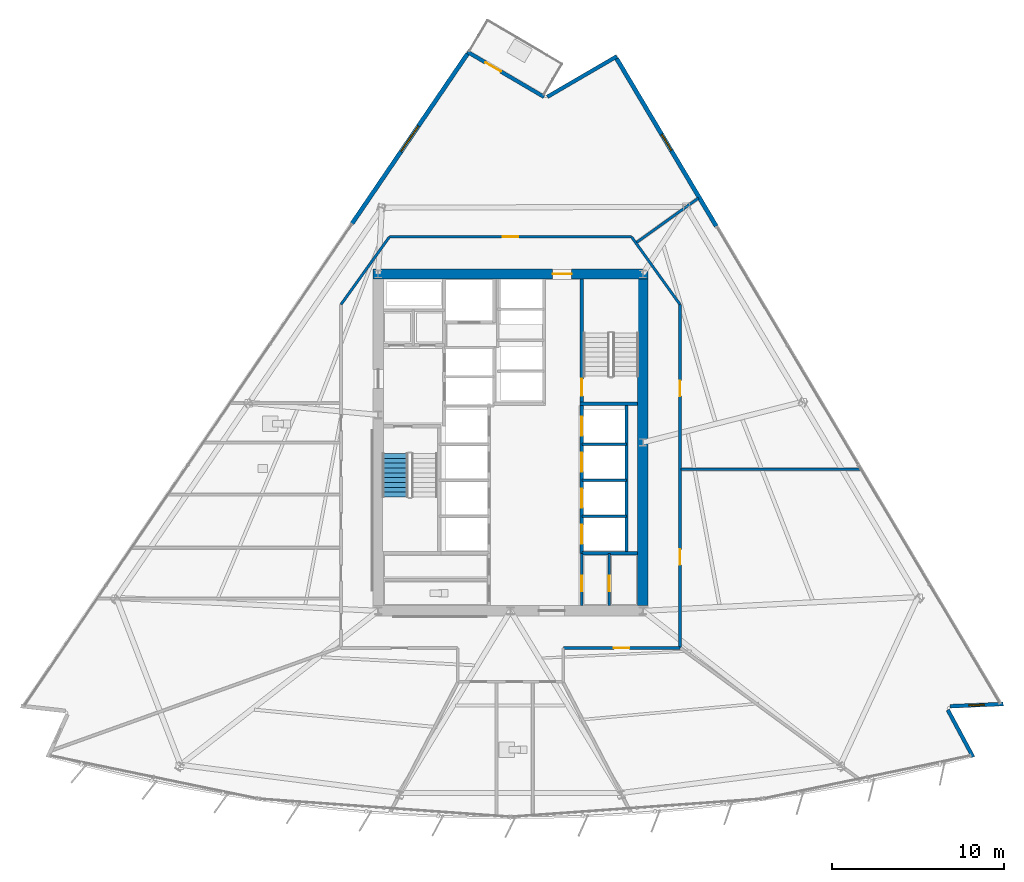
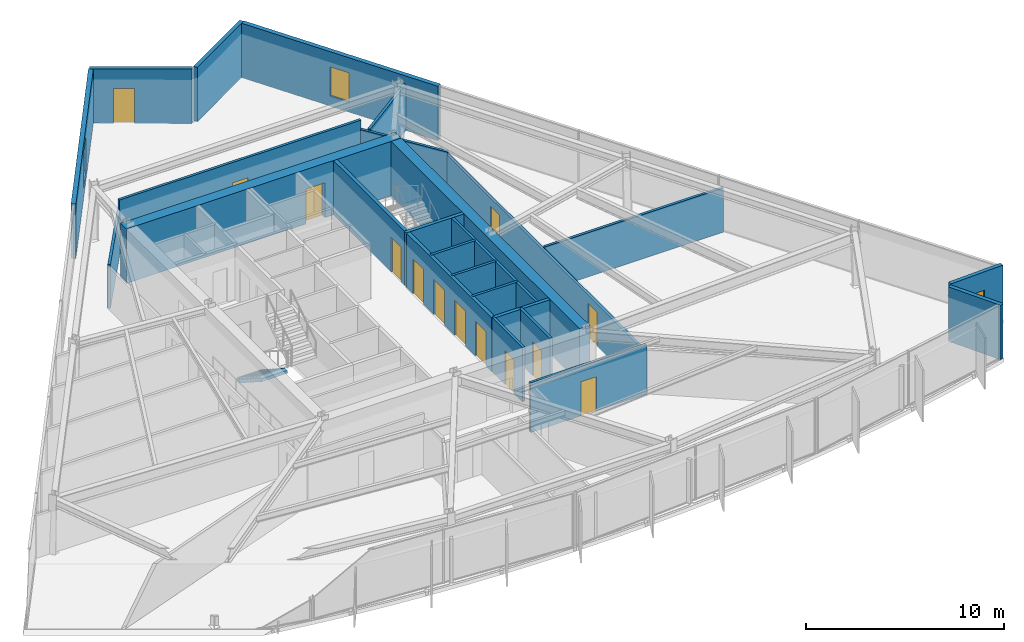
# One storey, part 9 of 15: 25 walls, 13 doors, 3 windows, 1 stair flight, 16 openings, 1 element without a shape of its own.
"""IFC4 building model written with IfcOpenShell, lengths in metres."""

from ifc_helpers import new_model, si_unit, direction, frame, frame_2d, origin, place, context, subcontext, project, spatial, polyline, rectangle, outline, extrude, material, layer, layer_set, type_object, element, fill, aggregate, save


model = new_model("IFC4")

# Units and contexts
model_context = context("Model", 3, precision=1e-05, world=origin(), true_north=direction((0.0, 1.0)))
body_context = subcontext(model_context, "Body", "Model", "MODEL_VIEW")
ifc_project = project(units=[si_unit("LENGTHUNIT", "METRE"), si_unit("AREAUNIT", "SQUARE_METRE"), si_unit("VOLUMEUNIT", "CUBIC_METRE"), si_unit("PLANEANGLEUNIT", "RADIAN"), si_unit("MASSUNIT", "GRAM", prefix="KILO")], contexts=[model_context])

# Site, building, storey
site_placement = place(None, origin())
site = spatial("IfcSite", under=ifc_project, at=site_placement, CompositionType="ELEMENT")
building_placement = place(site_placement, origin())
building = spatial("IfcBuilding", under=site, at=building_placement, Name="Savorim Split Tower", CompositionType="ELEMENT")
storey_placement = place(building_placement, frame((0.0, 0.0, 82.5)))
storey = spatial("IfcBuildingStorey", under=building, at=storey_placement, Name="L21", CompositionType="ELEMENT", Elevation=82.5)

# Wall, opening, door
ifc_material_1 = material(Name="Concrete C60/75", Category="concrete")
ifc_layer_1 = layer(ifc_material_1, 0.60009765625)
ifc_layer_set_1 = layer_set([ifc_layer_1], Name="WAL-COR-SH600")
wall_type_1 = type_object("IfcWallType", Name="WAL-COR-SH600", PredefinedType="SHEAR", material=ifc_layer_set_1)
wall_1_placement = place(storey_placement, frame((8.0, 10.199951171875, 0.0), z_axis=(0.0, 0.0, 1.0), x_axis=(-1.0, 0.0, 0.0)))
wall_1 = element("IfcWall", 1, at=wall_1_placement, inside=storey, type_object=wall_type_1, Name="L21 Offset Core North Shear Wall", PredefinedType="SHEAR", context=body_context, shape_type="SweptSolid", body=[
    extrude(rectangle(XDim=16.0, YDim=0.60009765625, at=frame_2d((8.0, 0.0))), origin(), (0.0, 0.0, 1.0), 3.35009765625),
])
opening_1_placement = place(wall_1_placement, frame((4.449951171875, 0.0, 0.0)))
opening_1 = element("IfcOpeningElement", 2, at=opening_1_placement, cuts=wall_1, Name="Opening DI-03", PredefinedType="OPENING", context=body_context, shape_type="SweptSolid", body=[
    extrude(rectangle(XDim=1.10009765625, YDim=2.14990234375, at=frame_2d((0.550048828125, 1.074951171875))), frame((0.0, 0.31005859375, 0.0), z_axis=(0.0, -1.0, 0.0), x_axis=(1.0, 0.0, 0.0)), (0.0, 0.0, 1.0), 0.6201171875),
])
ifc_material_2 = material(Name="Timber Fire Door Leaf", Category="wood")
door_type_1 = type_object("IfcDoorType", Name="DOR-FIR-1100", OperationType="NOTDEFINED", PredefinedType="DOOR", material=ifc_material_2)
door_1_placement = place(opening_1_placement, origin())
door_1 = element("IfcDoor", 3, at=door_1_placement, inside=storey, type_object=door_type_1, Name="DOR-L21-COR-NLOB - L21 North Corridor Lobby Fire Door", OperationType="SINGLE_SWING_RIGHT", OverallHeight=2.14990234375, OverallWidth=1.10009765625, PredefinedType="DOOR", context=body_context, shape_type="SweptSolid", body=[
    extrude(rectangle(XDim=1.10009765625, YDim=2.14990234375, at=frame_2d((0.550048828125, 1.074951171875))), frame((0.0, 0.02490234375, 0.0), z_axis=(0.0, -1.0, 0.0), x_axis=(1.0, 0.0, 0.0)), (0.0, 0.0, 1.0), 0.050048828125),
])
fill(opening_1, door_1)

# Walls
wall_2_placement = place(storey_placement, frame((7.699951171875, 9.89990234375, 0.0), z_axis=(0.0, 0.0, 1.0), x_axis=(0.0, -1.0, 0.0)))
element("IfcWall", 4, at=wall_2_placement, inside=storey, type_object=wall_type_1, Name="L21 Offset Core East Shear Wall", PredefinedType="SHEAR", context=body_context, shape_type="SweptSolid", body=[
    extrude(rectangle(XDim=19.0, YDim=0.60009765625, at=frame_2d((9.5, 0.0))), origin(), (0.0, 0.0, 1.0), 3.35009765625),
])
ifc_material_3 = material(Name="Precast concrete C40/50", Category="concrete")
ifc_layer_2 = layer(ifc_material_3, 0.219970703125)
ifc_layer_set_2 = layer_set([ifc_layer_2], Name="WAL-EXT-CRN220")
wall_type_2 = type_object("IfcWallType", Name="WAL-EXT-CRN220", PredefinedType="SOLIDWALL", material=ifc_layer_set_2)
wall_3_placement = place(storey_placement, frame((25.44189453125, -15.164794921875, 0.0), z_axis=(0.0, 0.0, 1.0), x_axis=(0.472811757317, -0.881163459378, 0.0)))
element("IfcWall", 5, at=wall_3_placement, inside=storey, type_object=wall_type_2, Name="L21 Notched Corner Facade Wall SE1", PredefinedType="SOLIDWALL", context=body_context, shape_type="SweptSolid", body=[
    extrude(rectangle(XDim=3.109619140625, YDim=0.219970703125, at=frame_2d((1.5546875, 0.0))), origin(), (0.0, 0.0, 1.0), 3.35009765625),
])

# Wall, opening, window
wall_4_placement = place(storey_placement, frame((28.667236328125, -14.819091796875, 0.0), z_axis=(0.0, 0.0, 1.0), x_axis=(-0.99909228571, -0.042598176436, 0.0)))
wall_4 = element("IfcWall", 6, at=wall_4_placement, inside=storey, type_object=wall_type_2, Name="L21 Notched Corner Facade Wall SE", PredefinedType="SOLIDWALL", context=body_context, shape_type="SweptSolid", body=[
    extrude(rectangle(XDim=3.1064453125, YDim=0.219970703125, at=frame_2d((1.55322265625, 0.0))), origin(), (0.0, 0.0, 1.0), 3.35009765625),
])
opening_2_placement = place(wall_4_placement, frame((1.103271484375, 0.0, 0.6201171875)))
opening_2 = element("IfcOpeningElement", 7, at=opening_2_placement, cuts=wall_4, Name="Opening WN-10", PredefinedType="OPENING", context=body_context, shape_type="SweptSolid", body=[
    extrude(rectangle(XDim=0.89990234375, YDim=1.60009765625, at=frame_2d((0.449951171875, 0.800048828125))), frame((0.0, 0.119873046875, 0.0), z_axis=(0.0, -1.0, 0.0), x_axis=(1.0, 0.0, 0.0)), (0.0, 0.0, 1.0), 0.239990234375),
])
ifc_material_4 = material(Name="Low-E Operable Double Glazing", Category="glass")
window_type_1 = type_object("IfcWindowType", Name="WIN-TWR-900x1600", PartitioningType="SINGLE_PANEL", PredefinedType="WINDOW", material=ifc_material_4)
window_1_placement = place(opening_2_placement, origin())
window_1 = element("IfcWindow", 8, at=window_1_placement, inside=storey, type_object=window_type_1, Name="L21 Operable Corner Window SE", OverallHeight=1.60009765625, OverallWidth=0.89990234375, PartitioningType="SINGLE_PANEL", PredefinedType="WINDOW", context=body_context, shape_type="SweptSolid", body=[
    extrude(rectangle(XDim=0.89990234375, YDim=1.60009765625, at=frame_2d((0.449951171875, 0.800048828125))), frame((0.0, 0.030029296875, 0.0), z_axis=(0.0, -1.0, 0.0), x_axis=(1.0, 0.0, 0.0)), (0.0, 0.0, 1.0), 0.06005859375),
])
fill(opening_2, window_1)

# Wall
wall_5_placement = place(storey_placement, frame((2.141845703125, 20.502197265625, 0.0), z_axis=(0.0, 0.0, 1.0), x_axis=(0.863981097269, 0.503524243272, 0.0)))
element("IfcWall", 9, at=wall_5_placement, inside=storey, type_object=wall_type_2, Name="L21 Notched Corner Facade Wall NE1", PredefinedType="SOLIDWALL", context=body_context, shape_type="SweptSolid", body=[
    extrude(rectangle(XDim=4.684326171875, YDim=0.219970703125, at=frame_2d((2.34228515625, 0.0))), origin(), (0.0, 0.0, 1.0), 3.35009765625),
])

# Wall, opening, door
wall_6_placement = place(storey_placement, frame((-2.509521484375, 23.12451171875, 0.0), z_axis=(0.0, 0.0, 1.0), x_axis=(0.862103972413, -0.506731428618, 0.0)))
wall_6 = element("IfcWall", 10, at=wall_6_placement, inside=storey, type_object=wall_type_2, Name="L21 Notched Corner Facade Wall N", PredefinedType="SOLIDWALL", context=body_context, shape_type="SweptSolid", body=[
    extrude(rectangle(XDim=5.174560546875, YDim=0.219970703125, at=frame_2d((2.58740234375, 0.0))), origin(), (0.0, 0.0, 1.0), 3.35009765625),
])
opening_3_placement = place(wall_6_placement, frame((1.21240234375, 0.0, 0.0)))
opening_3 = element("IfcOpeningElement", 11, at=opening_3_placement, cuts=wall_6, Name="Opening DB-01", PredefinedType="OPENING", context=body_context, shape_type="SweptSolid", body=[
    extrude(rectangle(XDim=1.050048828125, YDim=2.14990234375, at=frame_2d((0.52490234375, 1.074951171875))), frame((0.0, 0.119873046875, 0.0), z_axis=(0.0, -1.0, 0.0), x_axis=(1.0, 0.0, 0.0)), (0.0, 0.0, 1.0), 0.239990234375),
])
ifc_material_5 = material(Name="Charcoal Anodised Aluminium", Category="aluminium")
door_type_2 = type_object("IfcDoorType", Name="DOR-BAL-1050", OperationType="NOTDEFINED", PredefinedType="DOOR", material=ifc_material_5)
door_2_placement = place(opening_3_placement, origin())
door_2 = element("IfcDoor", 12, at=door_2_placement, inside=storey, type_object=door_type_2, Name="DOR-L21-TBAL-N - L21 Planted Tree Balcony Door N", OperationType="SINGLE_SWING_RIGHT", OverallHeight=2.14990234375, OverallWidth=1.050048828125, PredefinedType="DOOR", context=body_context, shape_type="SweptSolid", body=[
    extrude(rectangle(XDim=1.050048828125, YDim=2.14990234375, at=frame_2d((0.52490234375, 1.074951171875))), frame((0.0, 0.02490234375, 0.0), z_axis=(0.0, -1.0, 0.0), x_axis=(1.0, 0.0, 0.0)), (0.0, 0.0, 1.0), 0.050048828125),
])
fill(opening_3, door_2)

# Wall, opening, window
ifc_layer_3 = layer(ifc_material_3, 0.25)
ifc_layer_set_3 = layer_set([ifc_layer_3], Name="WAL-EXT-SPN250")
wall_type_3 = type_object("IfcWallType", Name="WAL-EXT-SPN250", PredefinedType="SOLIDWALL", material=ifc_layer_set_3)
wall_7_placement = place(storey_placement, frame((6.17236328125, 22.734130859375, 0.0), z_axis=(0.0, 0.0, 1.0), x_axis=(0.511105869751, -0.859517765905, 0.0)))
wall_7 = element("IfcWall", 13, at=wall_7_placement, inside=storey, type_object=wall_type_3, Name="L21 East Operable Window Pier", PredefinedType="SOLIDWALL", context=body_context, shape_type="SweptSolid", body=[
    extrude(rectangle(XDim=11.356689453125, YDim=0.25, at=frame_2d((5.67822265625, 0.0))), origin(), (0.0, 0.0, 1.0), 3.35009765625),
])
opening_4_placement = place(wall_7_placement, frame((5.12841796875, 0.0, 0.6201171875)))
opening_4 = element("IfcOpeningElement", 14, at=opening_4_placement, cuts=wall_7, Name="Opening WN-09", PredefinedType="OPENING", context=body_context, shape_type="SweptSolid", body=[
    extrude(rectangle(XDim=1.10009765625, YDim=1.800048828125, at=frame_2d((0.550048828125, 0.89990234375))), frame((0.0, 0.135009765625, 0.0), z_axis=(0.0, -1.0, 0.0), x_axis=(1.0, 0.0, 0.0)), (0.0, 0.0, 1.0), 0.27001953125),
])
window_type_2 = type_object("IfcWindowType", Name="WIN-TWR-1100x1800", PartitioningType="SINGLE_PANEL", PredefinedType="WINDOW", material=ifc_material_4)
window_2_placement = place(opening_4_placement, origin())
window_2 = element("IfcWindow", 15, at=window_2_placement, inside=storey, type_object=window_type_2, Name="L21 East Operable Ventilation Window", OverallHeight=1.800048828125, OverallWidth=1.10009765625, PartitioningType="SINGLE_PANEL", PredefinedType="WINDOW", context=body_context, shape_type="SweptSolid", body=[
    extrude(rectangle(XDim=1.10009765625, YDim=1.800048828125, at=frame_2d((0.550048828125, 0.89990234375))), frame((0.0, 0.030029296875, 0.0), z_axis=(0.0, -1.0, 0.0), x_axis=(1.0, 0.0, 0.0)), (0.0, 0.0, 1.0), 0.06005859375),
])
fill(opening_4, window_2)

wall_8_placement = place(storey_placement, frame((-9.21728515625, 13.135986328125, 0.0), z_axis=(0.0, 0.0, 1.0), x_axis=(0.562468998305, 0.826818375428, 0.0)))
wall_8 = element("IfcWall", 16, at=wall_8_placement, inside=storey, type_object=wall_type_3, Name="L21 West Operable Window Pier", PredefinedType="SOLIDWALL", context=body_context, shape_type="SweptSolid", body=[
    extrude(rectangle(XDim=11.9287109375, YDim=0.25, at=frame_2d((5.96435546875, 0.0))), origin(), (0.0, 0.0, 1.0), 3.35009765625),
])
opening_5_placement = place(wall_8_placement, frame((5.064208984375, 0.0, 0.6201171875)))
opening_5 = element("IfcOpeningElement", 17, at=opening_5_placement, cuts=wall_8, Name="Opening WN-04", PredefinedType="OPENING", context=body_context, shape_type="SweptSolid", body=[
    extrude(rectangle(XDim=1.800048828125, YDim=2.10009765625, at=frame_2d((0.89990234375, 1.050048828125))), frame((0.0, 0.135009765625, 0.0), z_axis=(0.0, -1.0, 0.0), x_axis=(1.0, 0.0, 0.0)), (0.0, 0.0, 1.0), 0.27001953125),
])
window_type_3 = type_object("IfcWindowType", Name="WIN-TWR-1800x2100", PartitioningType="DOUBLE_PANEL_VERTICAL", PredefinedType="WINDOW", material=ifc_material_4)
window_3_placement = place(opening_5_placement, origin())
window_3 = element("IfcWindow", 18, at=window_3_placement, inside=storey, type_object=window_type_3, Name="L21 West Operable Ventilation Window", OverallHeight=2.10009765625, OverallWidth=1.800048828125, PartitioningType="SINGLE_PANEL", PredefinedType="WINDOW", context=body_context, shape_type="SweptSolid", body=[
    extrude(rectangle(XDim=1.800048828125, YDim=2.10009765625, at=frame_2d((0.89990234375, 1.050048828125))), frame((0.0, 0.030029296875, 0.0), z_axis=(0.0, -1.0, 0.0), x_axis=(1.0, 0.0, 0.0)), (0.0, 0.0, 1.0), 0.06005859375),
])
fill(opening_5, window_3)

# Wall, opening, door
ifc_material_6 = material(Name="Concrete C50/60", Category="concrete")
ifc_layer_4 = layer(ifc_material_6, 0.199951171875)
ifc_layer_set_4 = layer_set([ifc_layer_4], Name="WAL-INT-RC200")
wall_type_4 = type_object("IfcWallType", Name="WAL-INT-RC200", PredefinedType="SOLIDWALL", material=ifc_layer_set_4)
wall_9_placement = place(storey_placement, frame((4.14990234375, 2.75, 0.0), z_axis=(0.0, 0.0, 1.0), x_axis=(0.0, 1.0, 0.0)))
wall_9 = element("IfcWall", 19, at=wall_9_placement, inside=storey, type_object=wall_type_4, Name="L21 Structural Shaft Wall W-L21-CR07", PredefinedType="SOLIDWALL", context=body_context, shape_type="SweptSolid", body=[
    extrude(rectangle(XDim=7.14990234375, YDim=0.199951171875, at=frame_2d((3.574951171875, 0.0))), origin(), (0.0, 0.0, 1.0), 3.35009765625),
])
opening_6_placement = place(wall_9_placement, frame((0.35009765625, 0.0, 0.0)))
opening_6 = element("IfcOpeningElement", 20, at=opening_6_placement, cuts=wall_9, Name="Opening DI-04", PredefinedType="OPENING", context=body_context, shape_type="SweptSolid", body=[
    extrude(rectangle(XDim=1.0, YDim=2.14990234375, at=frame_2d((0.5, 1.074951171875))), frame((0.0, 0.10986328125, 0.0), z_axis=(0.0, -1.0, 0.0), x_axis=(1.0, 0.0, 0.0)), (0.0, 0.0, 1.0), 0.219970703125),
])
door_type_3 = type_object("IfcDoorType", Name="DOR-FIR-1000", OperationType="NOTDEFINED", PredefinedType="DOOR", material=ifc_material_2)
door_3_placement = place(opening_6_placement, origin())
door_3 = element("IfcDoor", 21, at=door_3_placement, inside=storey, type_object=door_type_3, Name="DR-L21-ST2 - L21 Stair ST-2 Enclosure Door", OperationType="SINGLE_SWING_RIGHT", OverallHeight=2.14990234375, OverallWidth=1.0, PredefinedType="DOOR", context=body_context, shape_type="SweptSolid", body=[
    extrude(rectangle(XDim=1.0, YDim=2.14990234375, at=frame_2d((0.5, 1.074951171875))), frame((0.0, 0.02490234375, 0.0), z_axis=(0.0, -1.0, 0.0), x_axis=(1.0, 0.0, 0.0)), (0.0, 0.0, 1.0), 0.050048828125),
])
fill(opening_6, door_3)

# Wall
wall_10_placement = place(storey_placement, frame((4.050048828125, 2.64990234375, 0.0), z_axis=(0.0, 0.0, 1.0), x_axis=(1.0, 0.0, 0.0)))
element("IfcWall", 22, at=wall_10_placement, inside=storey, type_object=wall_type_4, Name="L21 Structural Shaft Wall W-L21-CR08", PredefinedType="SOLIDWALL", context=body_context, shape_type="SweptSolid", body=[
    extrude(rectangle(XDim=3.349853515625, YDim=0.199951171875, at=frame_2d((1.6748046875, 0.0))), origin(), (0.0, 0.0, 1.0), 3.35009765625),
])

# Wall, openings, doors
wall_11_placement = place(storey_placement, frame((4.14990234375, -6.050048828125, 0.0), z_axis=(0.0, 0.0, 1.0), x_axis=(0.0, 1.0, 0.0)))
wall_11 = element("IfcWall", 23, at=wall_11_placement, inside=storey, type_object=wall_type_4, Name="L21 Partition W-L21-B1FRONT", PredefinedType="SOLIDWALL", context=body_context, shape_type="SweptSolid", body=[
    extrude(rectangle(XDim=8.699951171875, YDim=0.199951171875, at=frame_2d((4.35009765625, 0.0))), origin(), (0.0, 0.0, 1.0), 3.35009765625),
])
opening_7_placement = place(wall_11_placement, frame((0.550048828125, 0.0, 0.0)))
opening_7 = element("IfcOpeningElement", 24, at=opening_7_placement, cuts=wall_11, Name="Opening LD-01", PredefinedType="OPENING", context=body_context, shape_type="SweptSolid", body=[
    extrude(rectangle(XDim=1.10009765625, YDim=2.14990234375, at=frame_2d((0.550048828125, 1.074951171875))), frame((0.0, 0.10986328125, 0.0), z_axis=(0.0, -1.0, 0.0), x_axis=(1.0, 0.0, 0.0)), (0.0, 0.0, 1.0), 0.219970703125),
])
opening_8_placement = place(wall_11_placement, frame((2.64990234375, 0.0, 0.0)))
opening_8 = element("IfcOpeningElement", 25, at=opening_8_placement, cuts=wall_11, Name="Opening LD-01", PredefinedType="OPENING", context=body_context, shape_type="SweptSolid", body=[
    extrude(rectangle(XDim=1.10009765625, YDim=2.14990234375, at=frame_2d((0.550048828125, 1.074951171875))), frame((0.0, 0.10986328125, 0.0), z_axis=(0.0, -1.0, 0.0), x_axis=(1.0, 0.0, 0.0)), (0.0, 0.0, 1.0), 0.219970703125),
])
opening_9_placement = place(wall_11_placement, frame((4.75, 0.0, 0.0)))
opening_9 = element("IfcOpeningElement", 26, at=opening_9_placement, cuts=wall_11, Name="Opening LD-01", PredefinedType="OPENING", context=body_context, shape_type="SweptSolid", body=[
    extrude(rectangle(XDim=1.10009765625, YDim=2.14990234375, at=frame_2d((0.550048828125, 1.074951171875))), frame((0.0, 0.10986328125, 0.0), z_axis=(0.0, -1.0, 0.0), x_axis=(1.0, 0.0, 0.0)), (0.0, 0.0, 1.0), 0.219970703125),
])
opening_10_placement = place(wall_11_placement, frame((6.85009765625, 0.0, 0.0)))
opening_10 = element("IfcOpeningElement", 27, at=opening_10_placement, cuts=wall_11, Name="Opening LD-01", PredefinedType="OPENING", context=body_context, shape_type="SweptSolid", body=[
    extrude(rectangle(XDim=1.10009765625, YDim=2.14990234375, at=frame_2d((0.550048828125, 1.074951171875))), frame((0.0, 0.10986328125, 0.0), z_axis=(0.0, -1.0, 0.0), x_axis=(1.0, 0.0, 0.0)), (0.0, 0.0, 1.0), 0.219970703125),
])
door_type_4 = type_object("IfcDoorType", Name="DOR-SLD-LD1100", OperationType="NOTDEFINED", PredefinedType="DOOR", material=ifc_material_5)
door_4_placement = place(opening_7_placement, origin())
door_4 = element("IfcDoor", 28, at=door_4_placement, inside=storey, type_object=door_type_4, Name="DR-L21-LD-PLL1 - L21 Lift PL-L1 Sliding Landing Door", OperationType="DOUBLE_DOOR_SLIDING", OverallHeight=2.14990234375, OverallWidth=1.10009765625, PredefinedType="DOOR", context=body_context, shape_type="SweptSolid", body=[
    extrude(rectangle(XDim=1.10009765625, YDim=2.14990234375, at=frame_2d((0.550048828125, 1.074951171875))), frame((0.0, 0.02490234375, 0.0), z_axis=(0.0, -1.0, 0.0), x_axis=(1.0, 0.0, 0.0)), (0.0, 0.0, 1.0), 0.050048828125),
])
fill(opening_7, door_4)
door_5_placement = place(opening_8_placement, origin())
door_5 = element("IfcDoor", 29, at=door_5_placement, inside=storey, type_object=door_type_4, Name="DR-L21-LD-PLL2 - L21 Lift PL-L2 Sliding Landing Door", OperationType="DOUBLE_DOOR_SLIDING", OverallHeight=2.14990234375, OverallWidth=1.10009765625, PredefinedType="DOOR", context=body_context, shape_type="SweptSolid", body=[
    extrude(rectangle(XDim=1.10009765625, YDim=2.14990234375, at=frame_2d((0.550048828125, 1.074951171875))), frame((0.0, 0.02490234375, 0.0), z_axis=(0.0, -1.0, 0.0), x_axis=(1.0, 0.0, 0.0)), (0.0, 0.0, 1.0), 0.050048828125),
])
fill(opening_8, door_5)
door_6_placement = place(opening_9_placement, origin())
door_6 = element("IfcDoor", 30, at=door_6_placement, inside=storey, type_object=door_type_4, Name="DR-L21-LD-PLL3 - L21 Lift PL-L3 Sliding Landing Door", OperationType="DOUBLE_DOOR_SLIDING", OverallHeight=2.14990234375, OverallWidth=1.10009765625, PredefinedType="DOOR", context=body_context, shape_type="SweptSolid", body=[
    extrude(rectangle(XDim=1.10009765625, YDim=2.14990234375, at=frame_2d((0.550048828125, 1.074951171875))), frame((0.0, 0.02490234375, 0.0), z_axis=(0.0, -1.0, 0.0), x_axis=(1.0, 0.0, 0.0)), (0.0, 0.0, 1.0), 0.050048828125),
])
fill(opening_9, door_6)
door_7_placement = place(opening_10_placement, origin())
door_7 = element("IfcDoor", 31, at=door_7_placement, inside=storey, type_object=door_type_4, Name="DR-L21-LD-PLL4 - L21 Lift PL-L4 Sliding Landing Door", OperationType="DOUBLE_DOOR_SLIDING", OverallHeight=2.14990234375, OverallWidth=1.10009765625, PredefinedType="DOOR", context=body_context, shape_type="SweptSolid", body=[
    extrude(rectangle(XDim=1.10009765625, YDim=2.14990234375, at=frame_2d((0.550048828125, 1.074951171875))), frame((0.0, 0.02490234375, 0.0), z_axis=(0.0, -1.0, 0.0), x_axis=(1.0, 0.0, 0.0)), (0.0, 0.0, 1.0), 0.050048828125),
])
fill(opening_10, door_7)

# Walls
wall_12_placement = place(storey_placement, frame((4.14990234375, -6.050048828125, 0.0), z_axis=(0.0, 0.0, 1.0), x_axis=(1.0, 0.0, 0.0)))
element("IfcWall", 32, at=wall_12_placement, inside=storey, type_object=wall_type_4, Name="L21 Partition W-L21-KSEP-E", PredefinedType="SOLIDWALL", context=body_context, shape_type="SweptSolid", body=[
    extrude(rectangle(XDim=3.2451171875, YDim=0.199951171875, at=frame_2d((1.62255859375, 0.0))), origin(), (0.0, 0.0, 1.0), 3.35009765625),
])
ifc_material_7 = material(Name="Acoustic Gypsum Partition Board")
ifc_layer_5 = layer(ifc_material_7, 0.14990234375)
ifc_layer_set_5 = layer_set([ifc_layer_5], Name="WAL-PAR-150")
wall_type_5 = type_object("IfcWallType", Name="WAL-PAR-150", PredefinedType="PARTITIONING", material=ifc_layer_set_5)
wall_13_placement = place(storey_placement, frame((6.75, -6.050048828125, 0.0), z_axis=(0.0, 0.0, 1.0), x_axis=(0.0, 1.0, 0.0)))
element("IfcWall", 33, at=wall_13_placement, inside=storey, type_object=wall_type_5, Name="L21 Partition W-L21-B1BACK", PredefinedType="PARTITIONING", context=body_context, shape_type="SweptSolid", body=[
    extrude(rectangle(XDim=8.699951171875, YDim=0.14990234375, at=frame_2d((4.35009765625, 0.0))), origin(), (0.0, 0.0, 1.0), 3.35009765625),
])
for number, where, z_axis, x_axis, name in (
    (34, (4.14990234375, -3.89990234375, 0.0), (0.0, 0.0, 1.0), (1.0, 0.0, 0.0), "L21 Partition W-L21-B1DIV1"),
    (35, (4.14990234375, -1.800048828125, 0.0), (0.0, 0.0, 1.0), (1.0, 0.0, 0.0), "L21 Partition W-L21-B1DIV2"),
    (36, (4.14990234375, 0.300048828125, 0.0), (0.0, 0.0, 1.0), (1.0, 0.0, 0.0), "L21 Partition W-L21-B1DIV3"),
):
    element("IfcWall", number, at=place(storey_placement, frame(where, z_axis=z_axis, x_axis=x_axis)), inside=storey, type_object=wall_type_5, Name=name, PredefinedType="PARTITIONING", context=body_context, shape_type="SweptSolid", body=[
        extrude(rectangle(XDim=2.60009765625, YDim=0.14990234375, at=frame_2d((1.300048828125, 0.0))), origin(), (0.0, 0.0, 1.0), 3.35009765625),
    ])

# Wall, opening, door
wall_14_placement = place(storey_placement, frame((4.14990234375, -9.094970703125, 0.0), z_axis=(0.0, 0.0, 1.0), x_axis=(0.0, 1.0, 0.0)))
wall_14 = element("IfcWall", 37, at=wall_14_placement, inside=storey, type_object=wall_type_5, Name="L21 Partition W-L21-KLOB-E", PredefinedType="PARTITIONING", context=body_context, shape_type="SweptSolid", body=[
    extrude(rectangle(XDim=3.044921875, YDim=0.14990234375, at=frame_2d((1.5224609375, 0.0))), origin(), (0.0, 0.0, 1.0), 3.35009765625),
])
opening_11_placement = place(wall_14_placement, frame((0.844970703125, 0.0, 0.0)))
opening_11 = element("IfcOpeningElement", 38, at=opening_11_placement, cuts=wall_14, Name="Opening DI-06", PredefinedType="OPENING", context=body_context, shape_type="SweptSolid", body=[
    extrude(rectangle(XDim=0.89990234375, YDim=2.10009765625, at=frame_2d((0.449951171875, 1.050048828125))), frame((0.0, 0.0849609375, 0.0), z_axis=(0.0, -1.0, 0.0), x_axis=(1.0, 0.0, 0.0)), (0.0, 0.0, 1.0), 0.169921875),
])
door_type_5 = type_object("IfcDoorType", Name="DOR-FIR-900", OperationType="NOTDEFINED", PredefinedType="DOOR", material=ifc_material_2)
door_8_placement = place(opening_11_placement, origin())
door_8 = element("IfcDoor", 39, at=door_8_placement, inside=storey, type_object=door_type_5, Name="DR-L21-K2PAN - L21 Vending Pantry Door", OperationType="SINGLE_SWING_LEFT", OverallHeight=2.10009765625, OverallWidth=0.89990234375, PredefinedType="DOOR", context=body_context, shape_type="SweptSolid", body=[
    extrude(rectangle(XDim=0.89990234375, YDim=2.10009765625, at=frame_2d((0.449951171875, 1.050048828125))), frame((0.0, 0.02490234375, 0.0), z_axis=(0.0, -1.0, 0.0), x_axis=(1.0, 0.0, 0.0)), (0.0, 0.0, 1.0), 0.050048828125),
])
fill(opening_11, door_8)

wall_15_placement = place(storey_placement, frame((5.75, -9.094970703125, 0.0), z_axis=(0.0, 0.0, 1.0), x_axis=(0.0, 1.0, 0.0)))
wall_15 = element("IfcWall", 40, at=wall_15_placement, inside=storey, type_object=wall_type_5, Name="L21 Partition W-L21-K2E", PredefinedType="PARTITIONING", context=body_context, shape_type="SweptSolid", body=[
    extrude(rectangle(XDim=3.044921875, YDim=0.14990234375, at=frame_2d((1.5224609375, 0.0))), origin(), (0.0, 0.0, 1.0), 3.35009765625),
])
opening_12_placement = place(wall_15_placement, frame((0.844970703125, 0.0, 0.0)))
opening_12 = element("IfcOpeningElement", 41, at=opening_12_placement, cuts=wall_15, Name="Opening DI-06", PredefinedType="OPENING", context=body_context, shape_type="SweptSolid", body=[
    extrude(rectangle(XDim=0.89990234375, YDim=2.10009765625, at=frame_2d((0.449951171875, 1.050048828125))), frame((0.0, 0.0849609375, 0.0), z_axis=(0.0, -1.0, 0.0), x_axis=(1.0, 0.0, 0.0)), (0.0, 0.0, 1.0), 0.169921875),
])
door_9_placement = place(opening_12_placement, origin())
door_9 = element("IfcDoor", 42, at=door_9_placement, inside=storey, type_object=door_type_5, Name="DR-L21-K2REF - L21 Recycling Room Door", OperationType="SINGLE_SWING_RIGHT", OverallHeight=2.10009765625, OverallWidth=0.89990234375, PredefinedType="DOOR", context=body_context, shape_type="SweptSolid", body=[
    extrude(rectangle(XDim=0.89990234375, YDim=2.10009765625, at=frame_2d((0.449951171875, 1.050048828125))), frame((0.0, 0.02490234375, 0.0), z_axis=(0.0, -1.0, 0.0), x_axis=(1.0, 0.0, 0.0)), (0.0, 0.0, 1.0), 0.050048828125),
])
fill(opening_12, door_9)

# Wall
wall_16_placement = place(storey_placement, frame((-9.860107421875, 8.42578125, 0.0), z_axis=(0.0, 0.0, 1.0), x_axis=(0.582449511476, 0.812866881218, 0.0)))
element("IfcWall", 43, at=wall_16_placement, inside=storey, type_object=wall_type_5, Name="L21 Partition W-L21-COR-02", PredefinedType="PARTITIONING", context=body_context, shape_type="SweptSolid", body=[
    extrude(rectangle(XDim=4.840087890625, YDim=0.14990234375, at=frame_2d((2.419921875, 0.0))), origin(), (0.0, 0.0, 1.0), 2.72509765625),
])

# Wall, opening, door
wall_17_placement = place(storey_placement, frame((-7.041015625, 12.360107421875, 0.0), z_axis=(0.0, 0.0, 1.0), x_axis=(1.0, 0.0, 0.0)))
wall_17 = element("IfcWall", 44, at=wall_17_placement, inside=storey, type_object=wall_type_5, Name="L21 Partition W-L21-COR-03", PredefinedType="PARTITIONING", context=body_context, shape_type="SweptSolid", body=[
    extrude(rectangle(XDim=14.08203125, YDim=0.14990234375, at=frame_2d((7.041015625, 0.0))), origin(), (0.0, 0.0, 1.0), 3.35009765625),
])
opening_13_placement = place(wall_17_placement, frame((6.591064453125, 0.0, 0.0)))
opening_13 = element("IfcOpeningElement", 45, at=opening_13_placement, cuts=wall_17, Name="Opening DI-06", PredefinedType="OPENING", context=body_context, shape_type="SweptSolid", body=[
    extrude(rectangle(XDim=0.89990234375, YDim=2.10009765625, at=frame_2d((0.449951171875, 1.050048828125))), frame((0.0, 0.0849609375, 0.0), z_axis=(0.0, -1.0, 0.0), x_axis=(1.0, 0.0, 0.0)), (0.0, 0.0, 1.0), 0.169921875),
])
door_10_placement = place(opening_13_placement, origin())
door_10 = element("IfcDoor", 46, at=door_10_placement, inside=storey, type_object=door_type_5, Name="DR-L21-RM12 - L21 Maker Workshop Entry Door", OperationType="SINGLE_SWING_LEFT", OverallHeight=2.10009765625, OverallWidth=0.89990234375, PredefinedType="DOOR", context=body_context, shape_type="SweptSolid", body=[
    extrude(rectangle(XDim=0.89990234375, YDim=2.10009765625, at=frame_2d((0.449951171875, 1.050048828125))), frame((0.0, 0.02490234375, 0.0), z_axis=(0.0, -1.0, 0.0), x_axis=(1.0, 0.0, 0.0)), (0.0, 0.0, 1.0), 0.050048828125),
])
fill(opening_13, door_10)

# Wall
wall_18_placement = place(storey_placement, frame((7.041015625, 12.360107421875, 0.0), z_axis=(0.0, 0.0, 1.0), x_axis=(0.582449511476, -0.812866881218, 0.0)))
element("IfcWall", 47, at=wall_18_placement, inside=storey, type_object=wall_type_5, Name="L21 Partition W-L21-COR-04", PredefinedType="PARTITIONING", context=body_context, shape_type="SweptSolid", body=[
    extrude(rectangle(XDim=4.840087890625, YDim=0.14990234375, at=frame_2d((2.419921875, 0.0))), origin(), (0.0, 0.0, 1.0), 2.77490234375),
])

# Wall, openings, doors
wall_19_placement = place(storey_placement, frame((9.860107421875, 8.42578125, 0.0), z_axis=(0.0, 0.0, 1.0), x_axis=(0.0, -1.0, 0.0)))
wall_19 = element("IfcWall", 48, at=wall_19_placement, inside=storey, type_object=wall_type_5, Name="L21 Partition W-L21-COR-05", PredefinedType="PARTITIONING", context=body_context, shape_type="SweptSolid", body=[
    extrude(rectangle(XDim=19.98583984375, YDim=0.14990234375, at=frame_2d((9.992919921875, 0.0))), origin(), (0.0, 0.0, 1.0), 2.60888671875),
])
opening_14_placement = place(wall_19_placement, frame((14.248046875, 0.0, 0.0)))
opening_14 = element("IfcOpeningElement", 49, at=opening_14_placement, cuts=wall_19, Name="Opening DI-06", PredefinedType="OPENING", context=body_context, shape_type="SweptSolid", body=[
    extrude(rectangle(XDim=0.89990234375, YDim=2.10009765625, at=frame_2d((0.449951171875, 1.050048828125))), frame((0.0, 0.0849609375, 0.0), z_axis=(0.0, -1.0, 0.0), x_axis=(1.0, 0.0, 0.0)), (0.0, 0.0, 1.0), 0.169921875),
])
opening_15_placement = place(wall_19_placement, frame((4.43359375, 0.0, 0.0)))
opening_15 = element("IfcOpeningElement", 50, at=opening_15_placement, cuts=wall_19, Name="Opening DI-06", PredefinedType="OPENING", context=body_context, shape_type="SweptSolid", body=[
    extrude(rectangle(XDim=0.89990234375, YDim=2.10009765625, at=frame_2d((0.449951171875, 1.050048828125))), frame((0.0, 0.0849609375, 0.0), z_axis=(0.0, -1.0, 0.0), x_axis=(1.0, 0.0, 0.0)), (0.0, 0.0, 1.0), 0.169921875),
])
door_11_placement = place(opening_14_placement, origin())
door_11 = element("IfcDoor", 51, at=door_11_placement, inside=storey, type_object=door_type_5, Name="DR-L21-RM10 - L21 Maker Workshop Entry Door", OperationType="SINGLE_SWING_LEFT", OverallHeight=2.10009765625, OverallWidth=0.89990234375, PredefinedType="DOOR", context=body_context, shape_type="SweptSolid", body=[
    extrude(rectangle(XDim=0.89990234375, YDim=2.10009765625, at=frame_2d((0.449951171875, 1.050048828125))), frame((0.0, 0.02490234375, 0.0), z_axis=(0.0, -1.0, 0.0), x_axis=(1.0, 0.0, 0.0)), (0.0, 0.0, 1.0), 0.050048828125),
])
fill(opening_14, door_11)
door_12_placement = place(opening_15_placement, origin())
door_12 = element("IfcDoor", 52, at=door_12_placement, inside=storey, type_object=door_type_5, Name="DR-L21-RM11 - L21 Co-Working Commons Entry Door", OperationType="SINGLE_SWING_RIGHT", OverallHeight=2.10009765625, OverallWidth=0.89990234375, PredefinedType="DOOR", context=body_context, shape_type="SweptSolid", body=[
    extrude(rectangle(XDim=0.89990234375, YDim=2.10009765625, at=frame_2d((0.449951171875, 1.050048828125))), frame((0.0, 0.02490234375, 0.0), z_axis=(0.0, -1.0, 0.0), x_axis=(1.0, 0.0, 0.0)), (0.0, 0.0, 1.0), 0.050048828125),
])
fill(opening_15, door_12)

# Wall, opening, door
wall_20_placement = place(storey_placement, frame((9.860107421875, -11.56005859375, 0.0), z_axis=(0.0, 0.0, 1.0), x_axis=(-1.0, 0.0, 0.0)))
wall_20 = element("IfcWall", 53, at=wall_20_placement, inside=storey, type_object=wall_type_5, Name="L21 Partition W-L21-COR-06", PredefinedType="PARTITIONING", context=body_context, shape_type="SweptSolid", body=[
    extrude(rectangle(XDim=6.780029296875, YDim=0.14990234375, at=frame_2d((3.39013671875, 0.0))), origin(), (0.0, 0.0, 1.0), 3.054931640625),
])
opening_16_placement = place(wall_20_placement, frame((2.93994140625, 0.0, 0.0)))
opening_16 = element("IfcOpeningElement", 54, at=opening_16_placement, cuts=wall_20, Name="Opening DI-06", PredefinedType="OPENING", context=body_context, shape_type="SweptSolid", body=[
    extrude(rectangle(XDim=0.89990234375, YDim=2.10009765625, at=frame_2d((0.449951171875, 1.050048828125))), frame((0.0, 0.0849609375, 0.0), z_axis=(0.0, -1.0, 0.0), x_axis=(1.0, 0.0, 0.0)), (0.0, 0.0, 1.0), 0.169921875),
])
door_13_placement = place(opening_16_placement, origin())
door_13 = element("IfcDoor", 55, at=door_13_placement, inside=storey, type_object=door_type_5, Name="DR-L21-RM09 - L21 Co-Working Commons Entry Door", OperationType="SINGLE_SWING_RIGHT", OverallHeight=2.10009765625, OverallWidth=0.89990234375, PredefinedType="DOOR", context=body_context, shape_type="SweptSolid", body=[
    extrude(rectangle(XDim=0.89990234375, YDim=2.10009765625, at=frame_2d((0.449951171875, 1.050048828125))), frame((0.0, 0.02490234375, 0.0), z_axis=(0.0, -1.0, 0.0), x_axis=(1.0, 0.0, 0.0)), (0.0, 0.0, 1.0), 0.050048828125),
])
fill(opening_16, door_13)

# Walls
wall_21_placement = place(storey_placement, frame((7.343994140625, 12.040283203125, 0.0), z_axis=(0.0, 0.0, 1.0), x_axis=(0.812867633401, 0.582448461728, 0.0)))
element("IfcWall", 56, at=wall_21_placement, inside=storey, type_object=wall_type_5, Name="L21 Partition W-L21-PRAD07", PredefinedType="PARTITIONING", context=body_context, shape_type="SweptSolid", body=[
    extrude(rectangle(XDim=4.424560546875, YDim=0.14990234375, at=frame_2d((2.21240234375, 0.0))), origin(), (0.0, 0.0, 1.0), 2.8349609375),
])
wall_22_placement = place(storey_placement, frame((9.919921875, -1.1630859375, 0.0), z_axis=(0.0, 0.0, 1.0), x_axis=(1.0, 0.0, 0.0)))
element("IfcWall", 57, at=wall_22_placement, inside=storey, type_object=wall_type_5, Name="L21 Partition W-L21-SUB07", PredefinedType="PARTITIONING", context=body_context, shape_type="SweptSolid", body=[
    extrude(rectangle(XDim=10.404052734375, YDim=0.14990234375, at=frame_2d((5.2021484375, 0.0))), origin(), (0.0, 0.0, 1.0), 2.72509765625),
])

# Stair, stair flight
stair_type = type_object("IfcStairType", Name="STR-DOG-3600", PredefinedType="HALF_TURN_STAIR", material=ifc_material_6)
stair_placement = place(storey_placement, origin())
stair = element("IfcStair", 58, at=stair_placement, inside=storey, type_object=stair_type, Name="L21 Core Protected Exit Stair ST-1", PredefinedType="HALF_TURN_STAIR")
stair_flight_type = type_object("IfcStairFlightType", Name="SFL-DOG-3600", PredefinedType="STRAIGHT", material=ifc_material_6)
stair_flight_placement = place(storey_placement, frame((-6.699951171875, -0.25, 0.0), z_axis=(0.0, 0.0, 1.0), x_axis=(0.0, -1.0, 0.0)))
stair_flight = element("IfcStairFlight", 59, at=stair_flight_placement, type_object=stair_flight_type, Name="ST-1 flight 1", NumberOfRisers=10, NumberOfTreads=9, PredefinedType="STRAIGHT", RiserHeight=0.18, TreadLength=0.28, context=body_context, shape_type="SweptSolid", body=[
    extrude(outline(polyline([(0.0, 0.0), (0.0, 0.179931640625), (0.280029296875, 0.179931640625), (0.280029296875, 0.360107421875), (0.56005859375, 0.360107421875), (0.56005859375, 0.5400390625), (0.840087890625, 0.5400390625), (0.840087890625, 0.719970703125), (1.1201171875, 0.719970703125), (1.1201171875, 0.89990234375), (1.39990234375, 0.89990234375), (1.39990234375, 1.080078125), (1.679931640625, 1.080078125), (1.679931640625, 1.260009765625), (1.9599609375, 1.260009765625), (1.9599609375, 1.43994140625), (2.239990234375, 1.43994140625), (2.239990234375, 1.6201171875), (2.52001953125, 1.6201171875), (2.52001953125, 1.800048828125), (2.52001953125, 1.44189453125), (0.277099609375, 0.0), (0.0, 0.0)])), frame((0.0, 0.75, 0.0), z_axis=(0.0, -1.0, 0.0), x_axis=(1.0, 0.0, 0.0)), (0.0, 0.0, 1.0), 1.5),
])
aggregate(stair, [stair_flight])

save(model, "model.ifc")
